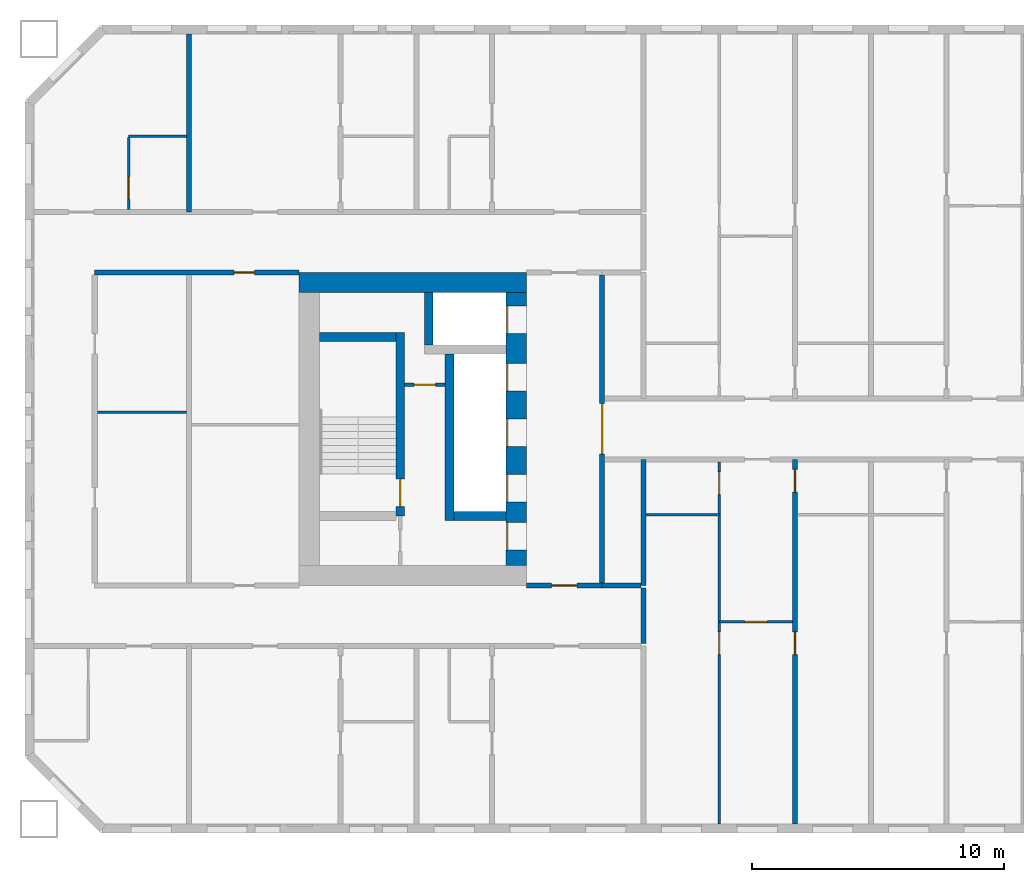
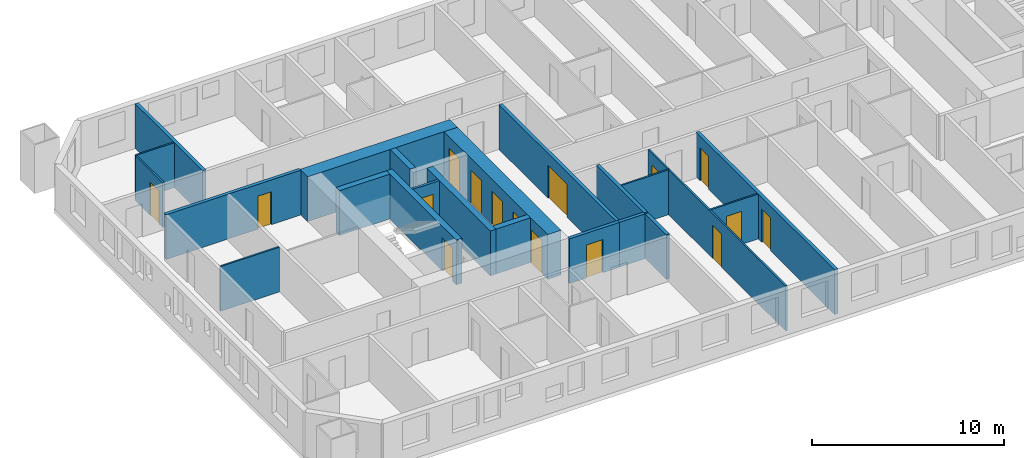
# One storey, part 4 of 17: 22 walls, 16 doors, 16 openings.
"""IFC4 building model written with IfcOpenShell, lengths in metres."""

from ifc_helpers import new_model, si_unit, direction, frame, frame_2d, origin, place, context, subcontext, project, spatial, rectangle, extrude, material, layer, layer_set, type_object, element, fill, save


model = new_model("IFC4")

# Units and contexts
model_context = context("Model", 3, precision=1e-05, world=origin(), true_north=direction((0.0, 1.0)))
body_context = subcontext(model_context, "Body", "Model", "MODEL_VIEW")
ifc_project = project(units=[si_unit("LENGTHUNIT", "METRE"), si_unit("AREAUNIT", "SQUARE_METRE"), si_unit("VOLUMEUNIT", "CUBIC_METRE"), si_unit("PLANEANGLEUNIT", "RADIAN"), si_unit("MASSUNIT", "GRAM", prefix="KILO")], contexts=[model_context])

# Site, building, storey
site_placement = place(None, origin())
site = spatial("IfcSite", under=ifc_project, at=site_placement, CompositionType="ELEMENT")
building_placement = place(site_placement, origin())
building = spatial("IfcBuilding", under=site, at=building_placement, Name="Tuart Gate Housing", CompositionType="ELEMENT")
storey_placement = place(building_placement, frame((0.0, 0.0, 50.5)))
storey = spatial("IfcBuildingStorey", under=building, at=storey_placement, Name="L13", CompositionType="ELEMENT", Elevation=50.5)

# Wall, opening, door
ifc_material_1 = material(Name="Plasterboard partition")
ifc_layer_1 = layer(ifc_material_1, 0.14990234375)
ifc_layer_set_1 = layer_set([ifc_layer_1], Name="Core partition 150")
wall_type_1 = type_object("IfcWallType", Name="Core partition 150", PredefinedType="PARTITIONING", material=ifc_layer_set_1)
wall_1_placement = place(storey_placement, frame((38.135009765625, 71.75, 0.0), z_axis=(0.0, 0.0, 1.0), x_axis=(-1.0, 0.0, 0.0)))
wall_1 = element("IfcWall", 1, at=wall_1_placement, inside=storey, type_object=wall_type_1, Name="Core partition AK.3", PredefinedType="PARTITIONING", context=body_context, shape_type="SweptSolid", body=[
    extrude(rectangle(XDim=1.60009765625, YDim=0.14990234375, at=frame_2d((0.800048828125, 0.0))), origin(), (0.0, 0.0, 1.0), 2.85009765625),
])
opening_1_placement = place(wall_1_placement, frame((0.375, 0.0, 0.0)))
opening_1 = element("IfcOpeningElement", 2, at=opening_1_placement, cuts=wall_1, Name="Opening D616", PredefinedType="OPENING", context=body_context, shape_type="SweptSolid", body=[
    extrude(rectangle(XDim=0.85009765625, YDim=2.10009765625, at=frame_2d((0.425048828125, 1.050048828125))), frame((0.0, 0.0849609375, 0.0), z_axis=(0.0, -1.0, 0.0), x_axis=(1.0, 0.0, 0.0)), (0.0, 0.0, 1.0), 0.169921875),
])
ifc_material_2 = material(Name="Steel fire door", Category="steel")
door_type_1 = type_object("IfcDoorType", Name="Riser door 850 x 2100 RH", OperationType="SINGLE_SWING_RIGHT", PredefinedType="DOOR", material=ifc_material_2)
door_1_placement = place(opening_1_placement, frame((0.85009765625, 0.0, 0.0), z_axis=(0.0, 0.0, 1.0), x_axis=(-1.0, 0.0, 0.0)))
door_1 = element("IfcDoor", 3, at=door_1_placement, inside=storey, type_object=door_type_1, Name="Service room door AK.E1", OperationType="SINGLE_SWING_RIGHT", OverallHeight=2.10009765625, OverallWidth=0.85009765625, PredefinedType="DOOR", context=body_context, shape_type="SweptSolid", body=[
    extrude(rectangle(XDim=0.85009765625, YDim=2.10009765625, at=frame_2d((0.425048828125, 1.050048828125))), frame((0.0, 0.025146484375, 0.0), z_axis=(0.0, -1.0, 0.0), x_axis=(1.0, 0.0, 0.0)), (0.0, 0.0, 1.0), 0.050048828125),
])
fill(opening_1, door_1)

# Walls
ifc_material_3 = material(Name="Concrete C60", Category="concrete")
ifc_layer_2 = layer(ifc_material_3, 0.35009765625)
ifc_layer_set_2 = layer_set([ifc_layer_2], Name="Core wall 350 C60")
wall_type_2 = type_object("IfcWallType", Name="Core wall 350 C60", PredefinedType="SHEAR", material=ifc_layer_set_2)
wall_2_placement = place(storey_placement, frame((36.18505859375, 73.64990234375, 0.0), z_axis=(0.0, 0.0, 1.0), x_axis=(-1.0, 0.0, 0.0)))
element("IfcWall", 4, at=wall_2_placement, inside=storey, type_object=wall_type_2, Name="Core wall AK.1", PredefinedType="SHEAR", context=body_context, shape_type="SweptSolid", body=[
    extrude(rectangle(XDim=3.025146484375, YDim=0.35009765625, at=frame_2d((1.5126953125, 0.0))), origin(), (0.0, 0.0, 1.0), 2.85009765625),
])
wall_3_placement = place(storey_placement, frame((40.56005859375, 66.550048828125, 0.0), z_axis=(0.0, 0.0, 1.0), x_axis=(-1.0, 0.0, 0.0)))
element("IfcWall", 5, at=wall_3_placement, inside=storey, type_object=wall_type_2, Name="Core wall AK.4", PredefinedType="SHEAR", context=body_context, shape_type="SweptSolid", body=[
    extrude(rectangle(XDim=2.074951171875, YDim=0.35009765625, at=frame_2d((1.03759765625, 0.0))), origin(), (0.0, 0.0, 1.0), 2.85009765625),
])
wall_4_placement = place(storey_placement, frame((38.31005859375, 72.97509765625, 0.0), z_axis=(0.0, 0.0, 1.0), x_axis=(0.0, -1.0, 0.0)))
element("IfcWall", 6, at=wall_4_placement, inside=storey, type_object=wall_type_2, Name="Core wall AK.6", PredefinedType="SHEAR", context=body_context, shape_type="SweptSolid", body=[
    extrude(rectangle(XDim=6.60009765625, YDim=0.35009765625, at=frame_2d((3.300048828125, 0.0))), origin(), (0.0, 0.0, 1.0), 2.85009765625),
])
wall_5_placement = place(storey_placement, frame((37.489990234375, 75.39990234375, 0.0), z_axis=(0.0, 0.0, 1.0), x_axis=(0.0, -1.0, 0.0)))
element("IfcWall", 7, at=wall_5_placement, inside=storey, type_object=wall_type_2, Name="Core wall AK.7", PredefinedType="SHEAR", context=body_context, shape_type="SweptSolid", body=[
    extrude(rectangle(XDim=2.074951171875, YDim=0.35009765625, at=frame_2d((1.03759765625, 0.0))), origin(), (0.0, 0.0, 1.0), 2.85009765625),
])

# Wall, opening, door
wall_6_placement = place(storey_placement, frame((36.360107421875, 73.824951171875, 0.0), z_axis=(0.0, 0.0, 1.0), x_axis=(0.0, -1.0, 0.0)))
wall_6 = element("IfcWall", 8, at=wall_6_placement, inside=storey, type_object=wall_type_2, Name="Core wall AK.8", PredefinedType="SHEAR", context=body_context, shape_type="SweptSolid", body=[
    extrude(rectangle(XDim=7.27490234375, YDim=0.35009765625, at=frame_2d((3.637451171875, 0.0))), origin(), (0.0, 0.0, 1.0), 2.85009765625),
])
opening_2_placement = place(wall_6_placement, frame((5.800048828125, 0.0, 0.0)))
opening_2 = element("IfcOpeningElement", 9, at=opening_2_placement, cuts=wall_6, Name="Opening D619", PredefinedType="OPENING", context=body_context, shape_type="SweptSolid", body=[
    extrude(rectangle(XDim=1.10009765625, YDim=2.10009765625, at=frame_2d((0.550048828125, 1.050048828125))), frame((0.0, 0.18505859375, 0.0), z_axis=(0.0, -1.0, 0.0), x_axis=(1.0, 0.0, 0.0)), (0.0, 0.0, 1.0), 0.3701171875),
])
ifc_material_4 = material(Name="Steel fire door", Category="steel")
door_type_2 = type_object("IfcDoorType", Name="Stair door 1100 x 2100", OperationType="SINGLE_SWING_LEFT", PredefinedType="DOOR", material=ifc_material_4)
door_2_placement = place(opening_2_placement, frame((1.10009765625, 0.0, 0.0), z_axis=(0.0, 0.0, 1.0), x_axis=(-1.0, 0.0, 0.0)))
door_2 = element("IfcDoor", 10, at=door_2_placement, inside=storey, type_object=door_type_2, Name="Stair door AK.SD", OperationType="SINGLE_SWING_LEFT", OverallHeight=2.10009765625, OverallWidth=1.10009765625, PredefinedType="DOOR", context=body_context, shape_type="SweptSolid", body=[
    extrude(rectangle(XDim=1.10009765625, YDim=2.10009765625, at=frame_2d((0.550048828125, 1.050048828125))), frame((0.0, 0.025146484375, 0.0), z_axis=(0.0, -1.0, 0.0), x_axis=(1.0, 0.0, 0.0)), (0.0, 0.0, 1.0), 0.050048828125),
])
fill(opening_2, door_2)

# Wall, openings, doors
ifc_material_5 = material(Name="Concrete C60", Category="concrete")
ifc_layer_3 = layer(ifc_material_5, 0.800048828125)
ifc_layer_set_3 = layer_set([ifc_layer_3], Name="Core wall 800 C60")
wall_type_3 = type_object("IfcWallType", Name="Core wall 800 C60", PredefinedType="SHEAR", material=ifc_layer_set_3)
wall_7_placement = place(storey_placement, frame((40.9599609375, 75.39990234375, 0.0), z_axis=(0.0, 0.0, 1.0), x_axis=(0.0, -1.0, 0.0)))
wall_7 = element("IfcWall", 11, at=wall_7_placement, inside=storey, type_object=wall_type_3, Name="Core wall AK front", PredefinedType="SHEAR", context=body_context, shape_type="SweptSolid", body=[
    extrude(rectangle(XDim=10.7998046875, YDim=0.800048828125, at=frame_2d((5.39990234375, 0.0))), origin(), (0.0, 0.0, 1.0), 2.85009765625),
])
opening_3_placement = place(wall_7_placement, frame((0.52490234375, 0.0, 0.0)))
opening_3 = element("IfcOpeningElement", 12, at=opening_3_placement, cuts=wall_7, Name="Opening LD-FA2", PredefinedType="OPENING", context=body_context, shape_type="SweptSolid", body=[
    extrude(rectangle(XDim=1.10009765625, YDim=2.10009765625, at=frame_2d((0.550048828125, 1.050048828125))), frame((0.0, 0.409912109375, 0.0), z_axis=(0.0, -1.0, 0.0), x_axis=(1.0, 0.0, 0.0)), (0.0, 0.0, 1.0), 0.820068359375),
])
opening_4_placement = place(wall_7_placement, frame((2.800048828125, 0.0, 0.0)))
opening_4 = element("IfcOpeningElement", 13, at=opening_4_placement, cuts=wall_7, Name="Opening LD-LA4", PredefinedType="OPENING", context=body_context, shape_type="SweptSolid", body=[
    extrude(rectangle(XDim=1.10009765625, YDim=2.10009765625, at=frame_2d((0.550048828125, 1.050048828125))), frame((0.0, 0.409912109375, 0.0), z_axis=(0.0, -1.0, 0.0), x_axis=(1.0, 0.0, 0.0)), (0.0, 0.0, 1.0), 0.820068359375),
])
opening_5_placement = place(wall_7_placement, frame((5.0, 0.0, 0.0)))
opening_5 = element("IfcOpeningElement", 14, at=opening_5_placement, cuts=wall_7, Name="Opening LD-LA5", PredefinedType="OPENING", context=body_context, shape_type="SweptSolid", body=[
    extrude(rectangle(XDim=1.10009765625, YDim=2.10009765625, at=frame_2d((0.550048828125, 1.050048828125))), frame((0.0, 0.409912109375, 0.0), z_axis=(0.0, -1.0, 0.0), x_axis=(1.0, 0.0, 0.0)), (0.0, 0.0, 1.0), 0.820068359375),
])
opening_6_placement = place(wall_7_placement, frame((7.199951171875, 0.0, 0.0)))
opening_6 = element("IfcOpeningElement", 15, at=opening_6_placement, cuts=wall_7, Name="Opening LD-LA6", PredefinedType="OPENING", context=body_context, shape_type="SweptSolid", body=[
    extrude(rectangle(XDim=1.10009765625, YDim=2.10009765625, at=frame_2d((0.550048828125, 1.050048828125))), frame((0.0, 0.409912109375, 0.0), z_axis=(0.0, -1.0, 0.0), x_axis=(1.0, 0.0, 0.0)), (0.0, 0.0, 1.0), 0.820068359375),
])
opening_7_placement = place(wall_7_placement, frame((9.10009765625, 0.0, 0.0)))
opening_7 = element("IfcOpeningElement", 16, at=opening_7_placement, cuts=wall_7, Name="Opening D622", PredefinedType="OPENING", context=body_context, shape_type="SweptSolid", body=[
    extrude(rectangle(XDim=1.10009765625, YDim=2.10009765625, at=frame_2d((0.550048828125, 1.050048828125))), frame((0.0, 0.409912109375, 0.0), z_axis=(0.0, -1.0, 0.0), x_axis=(1.0, 0.0, 0.0)), (0.0, 0.0, 1.0), 0.820068359375),
])
ifc_material_6 = material(Name="Stainless steel", Category="steel")
door_type_3 = type_object("IfcDoorType", Name="Landing door 1100 x 2100", OperationType="DOUBLE_DOOR_SLIDING", PredefinedType="DOOR", material=ifc_material_6)
door_3_placement = place(opening_3_placement, origin())
door_3 = element("IfcDoor", 17, at=door_3_placement, inside=storey, type_object=door_type_3, Name="Lift landing door FA2", OperationType="DOUBLE_DOOR_SLIDING", OverallHeight=2.10009765625, OverallWidth=1.10009765625, PredefinedType="DOOR", context=body_context, shape_type="SweptSolid", body=[
    extrude(rectangle(XDim=1.10009765625, YDim=2.10009765625, at=frame_2d((0.550048828125, 1.050048828125))), frame((0.0, -0.3349609375, 0.0), z_axis=(0.0, -1.0, 0.0), x_axis=(1.0, 0.0, 0.0)), (0.0, 0.0, 1.0), 0.050048828125),
])
fill(opening_3, door_3)
door_4_placement = place(opening_4_placement, origin())
door_4 = element("IfcDoor", 18, at=door_4_placement, inside=storey, type_object=door_type_3, Name="Lift landing door LA4", OperationType="DOUBLE_DOOR_SLIDING", OverallHeight=2.10009765625, OverallWidth=1.10009765625, PredefinedType="DOOR", context=body_context, shape_type="SweptSolid", body=[
    extrude(rectangle(XDim=1.10009765625, YDim=2.10009765625, at=frame_2d((0.550048828125, 1.050048828125))), frame((0.0, -0.3349609375, 0.0), z_axis=(0.0, -1.0, 0.0), x_axis=(1.0, 0.0, 0.0)), (0.0, 0.0, 1.0), 0.050048828125),
])
fill(opening_4, door_4)
door_5_placement = place(opening_5_placement, origin())
door_5 = element("IfcDoor", 19, at=door_5_placement, inside=storey, type_object=door_type_3, Name="Lift landing door LA5", OperationType="DOUBLE_DOOR_SLIDING", OverallHeight=2.10009765625, OverallWidth=1.10009765625, PredefinedType="DOOR", context=body_context, shape_type="SweptSolid", body=[
    extrude(rectangle(XDim=1.10009765625, YDim=2.10009765625, at=frame_2d((0.550048828125, 1.050048828125))), frame((0.0, -0.3349609375, 0.0), z_axis=(0.0, -1.0, 0.0), x_axis=(1.0, 0.0, 0.0)), (0.0, 0.0, 1.0), 0.050048828125),
])
fill(opening_5, door_5)
door_6_placement = place(opening_6_placement, origin())
door_6 = element("IfcDoor", 20, at=door_6_placement, inside=storey, type_object=door_type_3, Name="Lift landing door LA6", OperationType="DOUBLE_DOOR_SLIDING", OverallHeight=2.10009765625, OverallWidth=1.10009765625, PredefinedType="DOOR", context=body_context, shape_type="SweptSolid", body=[
    extrude(rectangle(XDim=1.10009765625, YDim=2.10009765625, at=frame_2d((0.550048828125, 1.050048828125))), frame((0.0, -0.3349609375, 0.0), z_axis=(0.0, -1.0, 0.0), x_axis=(1.0, 0.0, 0.0)), (0.0, 0.0, 1.0), 0.050048828125),
])
fill(opening_6, door_6)
ifc_material_7 = material(Name="Steel fire door", Category="steel")
door_type_4 = type_object("IfcDoorType", Name="Lobby door 1100 x 2100 RH", OperationType="SINGLE_SWING_RIGHT", PredefinedType="DOOR", material=ifc_material_7)
door_7_placement = place(opening_7_placement, frame((1.10009765625, 0.0, 0.0), z_axis=(0.0, 0.0, 1.0), x_axis=(-1.0, 0.0, 0.0)))
door_7 = element("IfcDoor", 21, at=door_7_placement, inside=storey, type_object=door_type_4, Name="Lobby entry door AK.EN", OperationType="SINGLE_SWING_RIGHT", OverallHeight=2.10009765625, OverallWidth=1.10009765625, PredefinedType="DOOR", context=body_context, shape_type="SweptSolid", body=[
    extrude(rectangle(XDim=1.10009765625, YDim=2.10009765625, at=frame_2d((0.550048828125, 1.050048828125))), frame((0.0, 0.385009765625, 0.0), z_axis=(0.0, -1.0, 0.0), x_axis=(1.0, 0.0, 0.0)), (0.0, 0.0, 1.0), 0.050048828125),
])
fill(opening_7, door_7)

# Walls
wall_8_placement = place(storey_placement, frame((41.360107421875, 75.800048828125, 0.0), z_axis=(0.0, 0.0, 1.0), x_axis=(-1.0, 0.0, 0.0)))
element("IfcWall", 22, at=wall_8_placement, inside=storey, type_object=wall_type_3, Name="Core wall AK south", PredefinedType="SHEAR", context=body_context, shape_type="SweptSolid", body=[
    extrude(rectangle(XDim=9.0, YDim=0.800048828125, at=frame_2d((4.5, 0.0))), origin(), (0.0, 0.0, 1.0), 2.85009765625),
])
ifc_material_8 = material(Name="Concrete masonry 15 MPa", Category="masonry")
ifc_layer_4 = layer(ifc_material_8, 0.199951171875)
ifc_layer_set_4 = layer_set([ifc_layer_4], Name="Corridor wall masonry 200")
wall_type_4 = type_object("IfcWallType", Name="Corridor wall masonry 200", PredefinedType="PARTITIONING", material=ifc_layer_set_4)
wall_9_placement = place(storey_placement, frame((44.360107421875, 63.800048828125, 0.0), z_axis=(0.0, 0.0, 1.0), x_axis=(1.0, 0.0, 0.0)))
element("IfcWall", 23, at=wall_9_placement, inside=storey, type_object=wall_type_4, Name="Corridor wall masonry 200", PredefinedType="PARTITIONING", context=body_context, shape_type="SweptSolid", body=[
    extrude(rectangle(XDim=1.539794921875, YDim=0.199951171875, at=frame_2d((0.77001953125, 0.0))), origin(), (0.0, 0.0, 1.0), 2.85009765625),
])

# Wall, opening, door
wall_10_placement = place(storey_placement, frame((24.260009765625, 76.199951171875, 0.0), z_axis=(0.0, 0.0, 1.0), x_axis=(1.0, 0.0, 0.0)))
wall_10 = element("IfcWall", 24, at=wall_10_placement, inside=storey, type_object=wall_type_4, Name="Corridor wall masonry 200", PredefinedType="PARTITIONING", context=body_context, shape_type="SweptSolid", body=[
    extrude(rectangle(XDim=8.10009765625, YDim=0.199951171875, at=frame_2d((4.050048828125, 0.0))), origin(), (0.0, 0.0, 1.0), 2.85009765625),
])
opening_8_placement = place(wall_10_placement, frame((5.52001953125, 0.0, 0.0)))
opening_8 = element("IfcOpeningElement", 25, at=opening_8_placement, cuts=wall_10, Name="Opening D612", PredefinedType="OPENING", context=body_context, shape_type="SweptSolid", body=[
    extrude(rectangle(XDim=0.800048828125, YDim=2.10009765625, at=frame_2d((0.39990234375, 1.050048828125))), frame((0.0, 0.10986328125, 0.0), z_axis=(0.0, -1.0, 0.0), x_axis=(1.0, 0.0, 0.0)), (0.0, 0.0, 1.0), 0.219970703125),
])
ifc_material_9 = material(Name="Timber door leaf in steel frame", Category="steel")
door_type_5 = type_object("IfcDoorType", Name="Store door 800 RH", OperationType="SINGLE_SWING_RIGHT", PredefinedType="DOOR", material=ifc_material_9)
door_8_placement = place(opening_8_placement, frame((0.800048828125, 0.0, 0.0), z_axis=(0.0, 0.0, 1.0), x_axis=(-1.0, 0.0, 0.0)))
door_8 = element("IfcDoor", 26, at=door_8_placement, inside=storey, type_object=door_type_5, Name="Store door", OperationType="SINGLE_SWING_RIGHT", OverallHeight=2.10009765625, OverallWidth=0.800048828125, PredefinedType="DOOR", context=body_context, shape_type="SweptSolid", body=[
    extrude(rectangle(XDim=0.800048828125, YDim=2.10009765625, at=frame_2d((0.400146484375, 1.050048828125))), frame((0.0, 0.025146484375, 0.0), z_axis=(0.0, -1.0, 0.0), x_axis=(1.0, 0.0, 0.0)), (0.0, 0.0, 1.0), 0.050048828125),
])
fill(opening_8, door_8)

# Wall
wall_11_placement = place(storey_placement, frame((46.0, 61.5, 0.0), z_axis=(0.0, 0.0, 1.0), x_axis=(0.0, 1.0, 0.0)))
element("IfcWall", 27, at=wall_11_placement, inside=storey, type_object=wall_type_4, Name="Corridor wall masonry 200", PredefinedType="PARTITIONING", context=body_context, shape_type="SweptSolid", body=[
    extrude(rectangle(XDim=2.199951171875, YDim=0.199951171875, at=frame_2d((1.10009765625, 0.0))), origin(), (0.0, 0.0, 1.0), 2.85009765625),
])

# Wall, opening, door
ifc_material_10 = material(Name="Concrete masonry 15 MPa", Category="masonry")
ifc_layer_5 = layer(ifc_material_10, 0.199951171875)
ifc_layer_set_5 = layer_set([ifc_layer_5], Name="Enclosure wall masonry 200")
wall_type_5 = type_object("IfcWallType", Name="Enclosure wall masonry 200", PredefinedType="PARTITIONING", material=ifc_layer_set_5)
wall_12_placement = place(storey_placement, frame((41.360107421875, 63.800048828125, 0.0), z_axis=(0.0, 0.0, 1.0), x_axis=(1.0, 0.0, 0.0)))
wall_12 = element("IfcWall", 28, at=wall_12_placement, inside=storey, type_object=wall_type_5, Name="Enclosure wall masonry 200", PredefinedType="PARTITIONING", context=body_context, shape_type="SweptSolid", body=[
    extrude(rectangle(XDim=3.0, YDim=0.199951171875, at=frame_2d((1.5, 0.0))), origin(), (0.0, 0.0, 1.0), 2.85009765625),
])
opening_9_placement = place(wall_12_placement, frame((1.0, 0.0, 0.0)))
opening_9 = element("IfcOpeningElement", 29, at=opening_9_placement, cuts=wall_12, Name="Opening D632", PredefinedType="OPENING", context=body_context, shape_type="SweptSolid", body=[
    extrude(rectangle(XDim=1.0, YDim=2.10009765625, at=frame_2d((0.5, 1.050048828125))), frame((0.0, 0.10986328125, 0.0), z_axis=(0.0, -1.0, 0.0), x_axis=(1.0, 0.0, 0.0)), (0.0, 0.0, 1.0), 0.219970703125),
])
ifc_material_11 = material(Name="Timber door leaf in steel frame", Category="steel")
door_type_6 = type_object("IfcDoorType", Name="Fire door 1000", OperationType="SINGLE_SWING_LEFT", PredefinedType="DOOR", material=ifc_material_11)
door_9_placement = place(opening_9_placement, frame((1.0, 0.0, 0.0), z_axis=(0.0, 0.0, 1.0), x_axis=(-1.0, 0.0, 0.0)))
door_9 = element("IfcDoor", 30, at=door_9_placement, inside=storey, type_object=door_type_6, Name="Fire door", OperationType="SINGLE_SWING_LEFT", OverallHeight=2.10009765625, OverallWidth=1.0, PredefinedType="DOOR", context=body_context, shape_type="SweptSolid", body=[
    extrude(rectangle(XDim=1.0, YDim=2.10009765625, at=frame_2d((0.5, 1.050048828125))), frame((0.0, 0.025146484375, 0.0), z_axis=(0.0, -1.0, 0.0), x_axis=(1.0, 0.0, 0.0)), (0.0, 0.0, 1.0), 0.050048828125),
])
fill(opening_9, door_9)

ifc_material_12 = material(Name="Plasterboard partition")
ifc_layer_6 = layer(ifc_material_12, 0.199951171875)
ifc_layer_set_6 = layer_set([ifc_layer_6], Name="Lobby wall 200")
wall_type_6 = type_object("IfcWallType", Name="Lobby wall 200", PredefinedType="PARTITIONING", material=ifc_layer_set_6)
wall_13_placement = place(storey_placement, frame((44.360107421875, 63.89990234375, 0.0), z_axis=(0.0, 0.0, 1.0), x_axis=(0.0, 1.0, 0.0)))
wall_13 = element("IfcWall", 31, at=wall_13_placement, inside=storey, type_object=wall_type_6, Name="Lift lobby wall AK", PredefinedType="PARTITIONING", context=body_context, shape_type="SweptSolid", body=[
    extrude(rectangle(XDim=12.2001953125, YDim=0.199951171875, at=frame_2d((6.10009765625, 0.0))), origin(), (0.0, 0.0, 1.0), 2.85009765625),
])
opening_10_placement = place(wall_13_placement, frame((5.10009765625, 0.0, 0.0)))
opening_10 = element("IfcOpeningElement", 32, at=opening_10_placement, cuts=wall_13, Name="Opening D623", PredefinedType="OPENING", context=body_context, shape_type="SweptSolid", body=[
    extrude(rectangle(XDim=2.0, YDim=2.10009765625, at=frame_2d((1.0, 1.050048828125))), frame((0.0, 0.10986328125, 0.0), z_axis=(0.0, -1.0, 0.0), x_axis=(1.0, 0.0, 0.0)), (0.0, 0.0, 1.0), 0.219970703125),
])
ifc_material_13 = material(Name="Steel fire door", Category="steel")
door_type_7 = type_object("IfcDoorType", Name="Smoke door 2000 x 2100", OperationType="DOUBLE_DOOR_SINGLE_SWING", PredefinedType="DOOR", material=ifc_material_13)
door_10_placement = place(opening_10_placement, origin())
door_10 = element("IfcDoor", 33, at=door_10_placement, inside=storey, type_object=door_type_7, Name="Lift lobby smoke door AK", OperationType="DOUBLE_DOOR_SINGLE_SWING", OverallHeight=2.10009765625, OverallWidth=2.0, PredefinedType="DOOR", context=body_context, shape_type="SweptSolid", body=[
    extrude(rectangle(XDim=2.0, YDim=2.10009765625, at=frame_2d((1.0, 1.050048828125))), frame((0.0, 0.02490234375, 0.0), z_axis=(0.0, -1.0, 0.0), x_axis=(1.0, 0.0, 0.0)), (0.0, 0.0, 1.0), 0.050048828125),
])
fill(opening_10, door_10)

ifc_material_14 = material(Name="Gypsum board on steel studs", Category="steel")
ifc_layer_7 = layer(ifc_material_14, 0.10009765625)
ifc_layer_set_7 = layer_set([ifc_layer_7], Name="Partition 100")
wall_type_7 = type_object("IfcWallType", Name="Partition 100", PredefinedType="PARTITIONING", material=ifc_layer_set_7)
wall_14_placement = place(storey_placement, frame((49.0, 62.360107421875, 0.0), z_axis=(0.0, 0.0, 1.0), x_axis=(1.0, 0.0, 0.0)))
wall_14 = element("IfcWall", 34, at=wall_14_placement, inside=storey, type_object=wall_type_7, Name="Partition 100", PredefinedType="PARTITIONING", context=body_context, shape_type="SweptSolid", body=[
    extrude(rectangle(XDim=2.89990234375, YDim=0.10009765625, at=frame_2d((1.449951171875, 0.0))), origin(), (0.0, 0.0, 1.0), 2.85009765625),
])
opening_11_placement = place(wall_14_placement, frame((1.0, 0.0, 0.0)))
opening_11 = element("IfcOpeningElement", 35, at=opening_11_placement, cuts=wall_14, Name="Opening D634", PredefinedType="OPENING", context=body_context, shape_type="SweptSolid", body=[
    extrude(rectangle(XDim=0.89990234375, YDim=2.10009765625, at=frame_2d((0.449951171875, 1.050048828125))), frame((0.0, 0.06005859375, 0.0), z_axis=(0.0, -1.0, 0.0), x_axis=(1.0, 0.0, 0.0)), (0.0, 0.0, 1.0), 0.1201171875),
])
ifc_material_15 = material(Name="Timber door leaf in steel frame", Category="steel")
door_type_8 = type_object("IfcDoorType", Name="Internal door 900", OperationType="SINGLE_SWING_LEFT", PredefinedType="DOOR", material=ifc_material_15)
door_11_placement = place(opening_11_placement, origin())
door_11 = element("IfcDoor", 36, at=door_11_placement, inside=storey, type_object=door_type_8, Name="Internal door", OperationType="SINGLE_SWING_LEFT", OverallHeight=2.10009765625, OverallWidth=0.89990234375, PredefinedType="DOOR", context=body_context, shape_type="SweptSolid", body=[
    extrude(rectangle(XDim=0.89990234375, YDim=2.10009765625, at=frame_2d((0.449951171875, 1.050048828125))), frame((0.0, 0.02490234375, 0.0), z_axis=(0.0, -1.0, 0.0), x_axis=(1.0, 0.0, 0.0)), (0.0, 0.0, 1.0), 0.050048828125),
])
fill(opening_11, door_11)

# Walls
wall_15_placement = place(storey_placement, frame((46.10009765625, 66.60009765625, 0.0), z_axis=(0.0, 0.0, 1.0), x_axis=(1.0, 0.0, 0.0)))
element("IfcWall", 37, at=wall_15_placement, inside=storey, type_object=wall_type_7, Name="Partition 100", PredefinedType="PARTITIONING", context=body_context, shape_type="SweptSolid", body=[
    extrude(rectangle(XDim=2.89990234375, YDim=0.10009765625, at=frame_2d((1.449951171875, 0.0))), origin(), (0.0, 0.0, 1.0), 2.85009765625),
])
wall_16_placement = place(storey_placement, frame((24.360107421875, 70.659912109375, 0.0), z_axis=(0.0, 0.0, 1.0), x_axis=(1.0, 0.0, 0.0)))
element("IfcWall", 38, at=wall_16_placement, inside=storey, type_object=wall_type_7, Name="Partition 100", PredefinedType="PARTITIONING", context=body_context, shape_type="SweptSolid", body=[
    extrude(rectangle(XDim=3.539794921875, YDim=0.10009765625, at=frame_2d((1.77001953125, 0.0))), origin(), (0.0, 0.0, 1.0), 2.85009765625),
])
wall_17_placement = place(storey_placement, frame((25.60009765625, 81.60009765625, 0.0), z_axis=(0.0, 0.0, 1.0), x_axis=(1.0, 0.0, 0.0)))
element("IfcWall", 39, at=wall_17_placement, inside=storey, type_object=wall_type_7, Name="Partition 100", PredefinedType="PARTITIONING", context=body_context, shape_type="SweptSolid", body=[
    extrude(rectangle(XDim=2.2998046875, YDim=0.10009765625, at=frame_2d((1.14990234375, 0.0))), origin(), (0.0, 0.0, 1.0), 2.85009765625),
])

# Wall, opening, door
wall_18_placement = place(storey_placement, frame((25.60009765625, 78.699951171875, 0.0), z_axis=(0.0, 0.0, 1.0), x_axis=(0.0, 1.0, 0.0)))
wall_18 = element("IfcWall", 40, at=wall_18_placement, inside=storey, type_object=wall_type_7, Name="Partition 100", PredefinedType="PARTITIONING", context=body_context, shape_type="SweptSolid", body=[
    extrude(rectangle(XDim=2.85009765625, YDim=0.10009765625, at=frame_2d((1.425048828125, 0.0))), origin(), (0.0, 0.0, 1.0), 2.85009765625),
])
opening_12_placement = place(wall_18_placement, frame((0.39990234375, 0.0, 0.0)))
opening_12 = element("IfcOpeningElement", 41, at=opening_12_placement, cuts=wall_18, Name="Opening D596", PredefinedType="OPENING", context=body_context, shape_type="SweptSolid", body=[
    extrude(rectangle(XDim=0.89990234375, YDim=2.10009765625, at=frame_2d((0.449951171875, 1.050048828125))), frame((0.0, 0.06005859375, 0.0), z_axis=(0.0, -1.0, 0.0), x_axis=(1.0, 0.0, 0.0)), (0.0, 0.0, 1.0), 0.1201171875),
])
ifc_material_16 = material(Name="Timber door leaf in steel frame", Category="steel")
door_type_9 = type_object("IfcDoorType", Name="Bathroom door 900 RH", OperationType="SINGLE_SWING_RIGHT", PredefinedType="DOOR", material=ifc_material_16)
door_12_placement = place(opening_12_placement, frame((0.89990234375, 0.0, 0.0), z_axis=(0.0, 0.0, 1.0), x_axis=(-1.0, 0.0, 0.0)))
door_12 = element("IfcDoor", 42, at=door_12_placement, inside=storey, type_object=door_type_9, Name="Bathroom door", OperationType="SINGLE_SWING_RIGHT", OverallHeight=2.10009765625, OverallWidth=0.89990234375, PredefinedType="DOOR", context=body_context, shape_type="SweptSolid", body=[
    extrude(rectangle(XDim=0.89990234375, YDim=2.10009765625, at=frame_2d((0.449951171875, 1.050048828125))), frame((0.0, 0.025146484375, 0.0), z_axis=(0.0, -1.0, 0.0), x_axis=(1.0, 0.0, 0.0)), (0.0, 0.0, 1.0), 0.050048828125),
])
fill(opening_12, door_12)

# Wall, openings, doors
wall_19_placement = place(storey_placement, frame((49.0, 54.360107421875, 0.0), z_axis=(0.0, 0.0, 1.0), x_axis=(0.0, 1.0, 0.0)))
wall_19 = element("IfcWall", 43, at=wall_19_placement, inside=storey, type_object=wall_type_7, Name="Partition 100", PredefinedType="PARTITIONING", context=body_context, shape_type="SweptSolid", body=[
    extrude(rectangle(XDim=14.33984375, YDim=0.10009765625, at=frame_2d((7.169921875, 0.0))), origin(), (0.0, 0.0, 1.0), 2.85009765625),
])
opening_13_placement = place(wall_19_placement, frame((6.699951171875, 0.0, 0.0)))
opening_13 = element("IfcOpeningElement", 44, at=opening_13_placement, cuts=wall_19, Name="Opening D641", PredefinedType="OPENING", context=body_context, shape_type="SweptSolid", body=[
    extrude(rectangle(XDim=0.89990234375, YDim=2.10009765625, at=frame_2d((0.449951171875, 1.050048828125))), frame((0.0, 0.06005859375, 0.0), z_axis=(0.0, -1.0, 0.0), x_axis=(1.0, 0.0, 0.0)), (0.0, 0.0, 1.0), 0.1201171875),
])
opening_14_placement = place(wall_19_placement, frame((13.0400390625, 0.0, 0.0)))
opening_14 = element("IfcOpeningElement", 45, at=opening_14_placement, cuts=wall_19, Name="Opening D640", PredefinedType="OPENING", context=body_context, shape_type="SweptSolid", body=[
    extrude(rectangle(XDim=0.89990234375, YDim=2.10009765625, at=frame_2d((0.449951171875, 1.050048828125))), frame((0.0, 0.06005859375, 0.0), z_axis=(0.0, -1.0, 0.0), x_axis=(1.0, 0.0, 0.0)), (0.0, 0.0, 1.0), 0.1201171875),
])
door_13_placement = place(opening_14_placement, origin())
door_13 = element("IfcDoor", 46, at=door_13_placement, inside=storey, type_object=door_type_9, Name="Bathroom door", OperationType="SINGLE_SWING_RIGHT", OverallHeight=2.10009765625, OverallWidth=0.89990234375, PredefinedType="DOOR", context=body_context, shape_type="SweptSolid", body=[
    extrude(rectangle(XDim=0.89990234375, YDim=2.10009765625, at=frame_2d((0.449951171875, 1.050048828125))), frame((0.0, 0.02490234375, 0.0), z_axis=(0.0, -1.0, 0.0), x_axis=(1.0, 0.0, 0.0)), (0.0, 0.0, 1.0), 0.050048828125),
])
fill(opening_14, door_13)
ifc_material_17 = material(Name="Timber door leaf in steel frame", Category="steel")
door_type_10 = type_object("IfcDoorType", Name="Internal door 900 RH", OperationType="SINGLE_SWING_RIGHT", PredefinedType="DOOR", material=ifc_material_17)
door_14_placement = place(opening_13_placement, origin())
door_14 = element("IfcDoor", 47, at=door_14_placement, inside=storey, type_object=door_type_10, Name="Internal door", OperationType="SINGLE_SWING_RIGHT", OverallHeight=2.10009765625, OverallWidth=0.89990234375, PredefinedType="DOOR", context=body_context, shape_type="SweptSolid", body=[
    extrude(rectangle(XDim=0.89990234375, YDim=2.10009765625, at=frame_2d((0.449951171875, 1.050048828125))), frame((0.0, 0.02490234375, 0.0), z_axis=(0.0, -1.0, 0.0), x_axis=(1.0, 0.0, 0.0)), (0.0, 0.0, 1.0), 0.050048828125),
])
fill(opening_13, door_14)

# Walls
ifc_material_18 = material(Name="Concrete C40", Category="concrete")
ifc_layer_8 = layer(ifc_material_18, 0.199951171875)
ifc_layer_set_8 = layer_set([ifc_layer_8], Name="Party wall concrete C40 200")
wall_type_8 = type_object("IfcWallType", Name="Party wall concrete C40 200", PredefinedType="SOLIDWALL", material=ifc_layer_set_8)
wall_20_placement = place(storey_placement, frame((28.0, 78.60009765625, 0.0), z_axis=(0.0, 0.0, 1.0), x_axis=(0.0, 1.0, 0.0)))
element("IfcWall", 48, at=wall_20_placement, inside=storey, type_object=wall_type_8, Name="Party wall concrete C40 200", PredefinedType="SOLIDWALL", context=body_context, shape_type="SweptSolid", body=[
    extrude(rectangle(XDim=7.039794921875, YDim=0.199951171875, at=frame_2d((3.52001953125, 0.0))), origin(), (0.0, 0.0, 1.0), 2.85009765625),
])
wall_21_placement = place(storey_placement, frame((46.0, 63.800048828125, 0.0), z_axis=(0.0, 0.0, 1.0), x_axis=(0.0, 1.0, 0.0)))
element("IfcWall", 49, at=wall_21_placement, inside=storey, type_object=wall_type_8, Name="Party wall concrete C40 200", PredefinedType="SOLIDWALL", context=body_context, shape_type="SweptSolid", body=[
    extrude(rectangle(XDim=5.0, YDim=0.199951171875, at=frame_2d((2.5, 0.0))), origin(), (0.0, 0.0, 1.0), 2.85009765625),
])

# Wall, openings, doors
wall_22_placement = place(storey_placement, frame((52.0, 54.360107421875, 0.0), z_axis=(0.0, 0.0, 1.0), x_axis=(0.0, 1.0, 0.0)))
wall_22 = element("IfcWall", 50, at=wall_22_placement, inside=storey, type_object=wall_type_8, Name="Party wall concrete C40 200", PredefinedType="SOLIDWALL", context=body_context, shape_type="SweptSolid", body=[
    extrude(rectangle(XDim=14.43994140625, YDim=0.199951171875, at=frame_2d((7.219970703125, 0.0))), origin(), (0.0, 0.0, 1.0), 2.85009765625),
])
opening_15_placement = place(wall_22_placement, frame((6.699951171875, 0.0, 0.0)))
opening_15 = element("IfcOpeningElement", 51, at=opening_15_placement, cuts=wall_22, Name="Opening D637", PredefinedType="OPENING", context=body_context, shape_type="SweptSolid", body=[
    extrude(rectangle(XDim=0.89990234375, YDim=2.10009765625, at=frame_2d((0.449951171875, 1.050048828125))), frame((0.0, 0.10986328125, 0.0), z_axis=(0.0, -1.0, 0.0), x_axis=(1.0, 0.0, 0.0)), (0.0, 0.0, 1.0), 0.219970703125),
])
opening_16_placement = place(wall_22_placement, frame((13.139892578125, 0.0, 0.0)))
opening_16 = element("IfcOpeningElement", 52, at=opening_16_placement, cuts=wall_22, Name="Opening D636", PredefinedType="OPENING", context=body_context, shape_type="SweptSolid", body=[
    extrude(rectangle(XDim=0.89990234375, YDim=2.10009765625, at=frame_2d((0.449951171875, 1.050048828125))), frame((0.0, 0.10986328125, 0.0), z_axis=(0.0, -1.0, 0.0), x_axis=(1.0, 0.0, 0.0)), (0.0, 0.0, 1.0), 0.219970703125),
])
ifc_material_19 = material(Name="Timber door leaf in steel frame", Category="steel")
door_type_11 = type_object("IfcDoorType", Name="Bathroom door 900", OperationType="SINGLE_SWING_LEFT", PredefinedType="DOOR", material=ifc_material_19)
door_15_placement = place(opening_16_placement, frame((0.89990234375, 0.0, 0.0), z_axis=(0.0, 0.0, 1.0), x_axis=(-1.0, 0.0, 0.0)))
door_15 = element("IfcDoor", 53, at=door_15_placement, inside=storey, type_object=door_type_11, Name="Bathroom door", OperationType="SINGLE_SWING_LEFT", OverallHeight=2.10009765625, OverallWidth=0.89990234375, PredefinedType="DOOR", context=body_context, shape_type="SweptSolid", body=[
    extrude(rectangle(XDim=0.89990234375, YDim=2.10009765625, at=frame_2d((0.449951171875, 1.050048828125))), frame((0.0, 0.025146484375, 0.0), z_axis=(0.0, -1.0, 0.0), x_axis=(1.0, 0.0, 0.0)), (0.0, 0.0, 1.0), 0.050048828125),
])
fill(opening_16, door_15)
door_16_placement = place(opening_15_placement, frame((0.89990234375, 0.0, 0.0), z_axis=(0.0, 0.0, 1.0), x_axis=(-1.0, 0.0, 0.0)))
door_16 = element("IfcDoor", 54, at=door_16_placement, inside=storey, type_object=door_type_8, Name="Internal door", OperationType="SINGLE_SWING_LEFT", OverallHeight=2.10009765625, OverallWidth=0.89990234375, PredefinedType="DOOR", context=body_context, shape_type="SweptSolid", body=[
    extrude(rectangle(XDim=0.89990234375, YDim=2.10009765625, at=frame_2d((0.449951171875, 1.050048828125))), frame((0.0, 0.025146484375, 0.0), z_axis=(0.0, -1.0, 0.0), x_axis=(1.0, 0.0, 0.0)), (0.0, 0.0, 1.0), 0.050048828125),
])
fill(opening_15, door_16)

save(model, "model.ifc")
